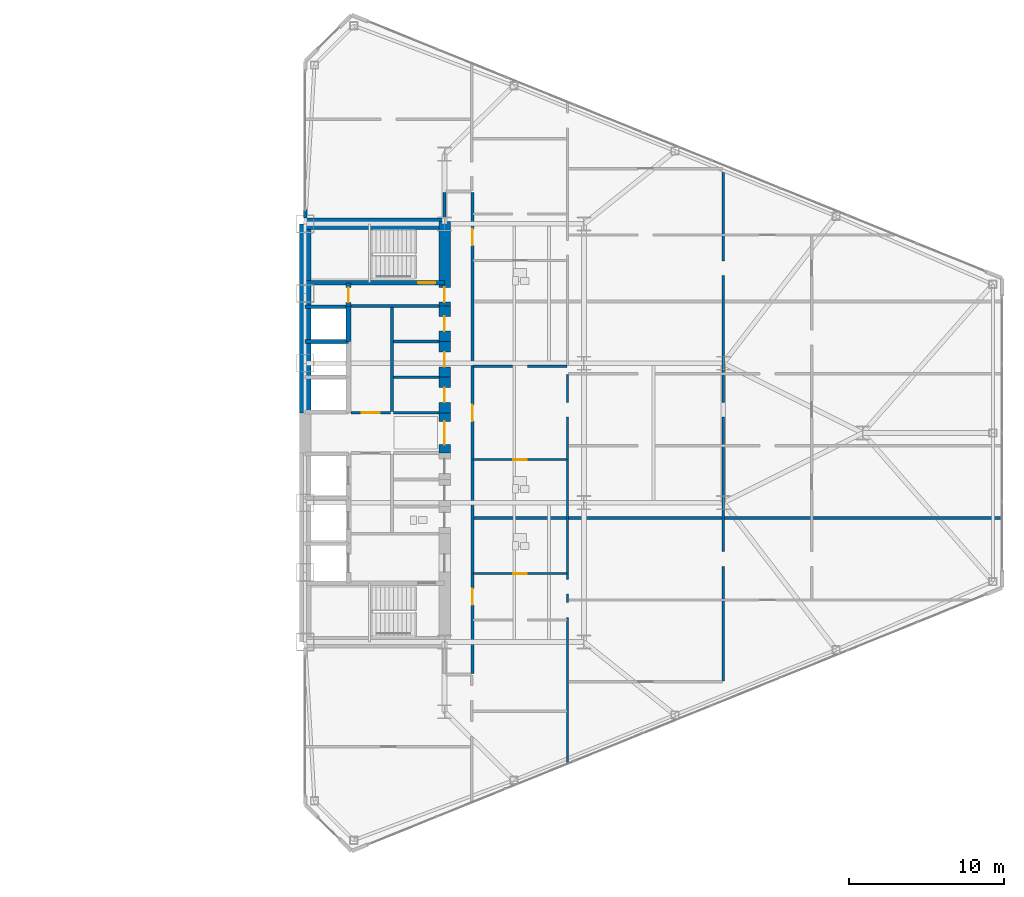
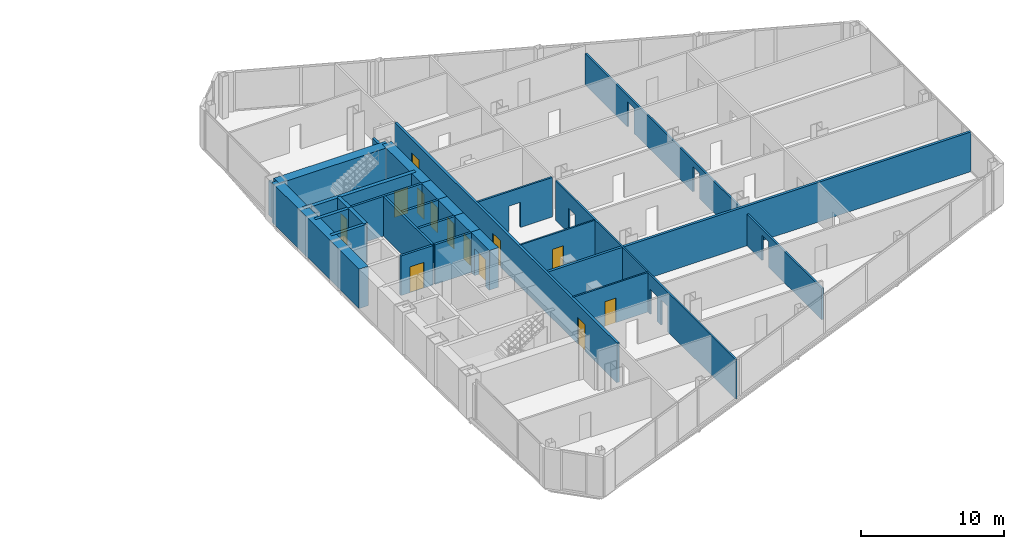
# One storey, part 21 of 25: 27 walls, 13 doors, 20 openings.
"""IFC4 building model written with IfcOpenShell, lengths in metres."""

import ifcopenshell
import ifcopenshell.guid

model = None  # the IFC model being written
_history = None  # IfcOwnerHistory: only IFC2X3 demands one
_inside = {}  # id of a spatial element -> (the spatial element, [elements in it])
_under = {}  # id of a project, library or spatial element -> (it, [spatial elements below it])
_declared = {}  # id of a project -> (the project, [libraries it declares])
_typed = {}  # id of a type object -> (the type object, [elements of that type])
_made_of = {}  # id of a material, layer set ... -> (it, [elements and type objects made of it])


def new_model(schema):
    """Start an empty IFC model of exactly this schema.

    Asked for "IFC4X3", IfcOpenShell would pick the latest addendum, in which some entities
    have other attributes; the version numbers below select the first issue.
    IFC2X3 requires an IfcOwnerHistory on every rooted entity: one is made here for all.
    """
    global model, _history
    if schema == "IFC4X3":
        model = ifcopenshell.file(schema_version=(4, 3, 0, 0))
    else:
        model = ifcopenshell.file(schema=schema)
    _inside.clear()
    _under.clear()
    _declared.clear()
    _typed.clear()
    _made_of.clear()
    _history = None
    if model.schema == "IFC2X3":
        org = make("IfcOrganization", Name="unknown")
        user = make(
            "IfcPersonAndOrganization",
            ThePerson=make("IfcPerson", FamilyName="unknown"),
            TheOrganization=org,
        )
        app = make(
            "IfcApplication",
            ApplicationDeveloper=org,
            Version="unknown",
            ApplicationFullName="unknown",
            ApplicationIdentifier="unknown",
        )
        _history = make(
            "IfcOwnerHistory",
            OwningUser=user,
            OwningApplication=app,
            ChangeAction="ADDED",
            CreationDate=0,
        )
    return model


def make(cls, **values):
    """One entity of the class cls with the attributes given. An attribute that is None is left unset."""
    return model.create_entity(
        cls, **{name: value for name, value in values.items() if value is not None}
    )


def rooted(cls, **values):
    """An entity with a GlobalId (a new one), such as an element, a storey or a relation."""
    return make(cls, GlobalId=ifcopenshell.guid.new(), OwnerHistory=_history, **values)


def si_unit(unit_type, name, prefix=None):
    """IfcSIUnit, for example si_unit("LENGTHUNIT", "METRE", prefix="MILLI")."""
    return make("IfcSIUnit", UnitType=unit_type, Prefix=prefix, Name=name)


def assignment(units):
    """IfcUnitAssignment: the units of a project."""
    return None if units is None else make("IfcUnitAssignment", Units=units)


def point(xyz):
    """IfcCartesianPoint."""
    return None if xyz is None else make("IfcCartesianPoint", Coordinates=xyz)


def direction(xyz):
    """IfcDirection."""
    return None if xyz is None else make("IfcDirection", DirectionRatios=xyz)


def frame(location, z_axis=None, x_axis=None):
    """IfcAxis2Placement3D, a coordinate frame: its origin and axes. An axis left out is left unset."""
    return make(
        "IfcAxis2Placement3D",
        Location=point(location),
        Axis=direction(z_axis),
        RefDirection=direction(x_axis),
    )


def frame_2d(location, x_axis=None):
    """IfcAxis2Placement2D, a coordinate frame in the plane: its origin and x axis."""
    return make(
        "IfcAxis2Placement2D", Location=point(location), RefDirection=direction(x_axis)
    )


def origin():
    """The frame at (0, 0, 0) with its axes left unset."""
    return frame((0.0, 0.0, 0.0))


def place(relative_to, where):
    """IfcLocalPlacement: puts the frame where relative to a parent placement (None: the world)."""
    return make(
        "IfcLocalPlacement", PlacementRelTo=relative_to, RelativePlacement=where
    )


def context(
    kind, dimensions, precision=None, world=None, true_north=None, identifier=None
):
    """IfcGeometricRepresentationContext, for example the 3D "Model" context."""
    return make(
        "IfcGeometricRepresentationContext",
        ContextIdentifier=identifier,
        ContextType=kind,
        CoordinateSpaceDimension=dimensions,
        Precision=precision,
        WorldCoordinateSystem=world,
        TrueNorth=true_north,
    )


def subcontext(parent, identifier, kind, view, scale=None):
    """IfcGeometricRepresentationSubContext, for example "Body" below "Model"."""
    return make(
        "IfcGeometricRepresentationSubContext",
        ContextIdentifier=identifier,
        ContextType=kind,
        ParentContext=parent,
        TargetScale=scale,
        TargetView=view,
    )


def project(units=None, contexts=None):
    """IfcProject with its units and contexts."""
    return rooted(
        "IfcProject",
        Name="project",
        RepresentationContexts=contexts,
        UnitsInContext=assignment(units),
    )


def spatial(cls, under=None, at=None, **own):
    """A site, building, storey or space (cls), placed at a placement, below another one or the project."""
    s = rooted(cls, ObjectPlacement=at, **own)
    if under is not None:
        _under.setdefault(under.id(), (under, []))[1].append(s)
    return s


def profile(cls, at=None, kind="AREA", **sizes):
    """A parametric profile (cls). Its sizes go by their IFC names, for example OverallWidth=200.0."""
    return make(cls, ProfileType=kind, Position=at, **sizes)


def rectangle(**sizes):
    """IfcRectangleProfileDef."""
    return profile("IfcRectangleProfileDef", **sizes)


def extrude(swept, where, along, depth):
    """IfcExtrudedAreaSolid: the profile swept, set in the frame where, extruded along a direction by depth."""
    return make(
        "IfcExtrudedAreaSolid",
        SweptArea=swept,
        Position=where,
        ExtrudedDirection=direction(along),
        Depth=depth,
    )


def shape(context_of_items, identifier, shape_type, items):
    """IfcShapeRepresentation: the items that make up one representation, for example the "Body"."""
    return make(
        "IfcShapeRepresentation",
        ContextOfItems=context_of_items,
        RepresentationIdentifier=identifier,
        RepresentationType=shape_type,
        Items=items,
    )


def source(mapping_origin, context_of_items, identifier, shape_type, items):
    """IfcRepresentationMap: a shape defined once, which mapped items show again and again."""
    return make(
        "IfcRepresentationMap",
        MappingOrigin=mapping_origin,
        MappedRepresentation=shape(context_of_items, identifier, shape_type, items),
    )


def transform(
    local_origin,
    x_axis=None,
    y_axis=None,
    z_axis=None,
    scale=None,
    scale2=None,
    scale3=None,
    uniform=True,
):
    """IfcCartesianTransformationOperator3D, or its non-uniform kind. x_axis, y_axis, z_axis: its Axis1, 2, 3."""
    if uniform:
        return make(
            "IfcCartesianTransformationOperator3D",
            Axis1=direction(x_axis),
            Axis2=direction(y_axis),
            LocalOrigin=point(local_origin),
            Scale=scale,
            Axis3=direction(z_axis),
        )
    return make(
        "IfcCartesianTransformationOperator3DnonUniform",
        Axis1=direction(x_axis),
        Axis2=direction(y_axis),
        LocalOrigin=point(local_origin),
        Scale=scale,
        Axis3=direction(z_axis),
        Scale2=scale2,
        Scale3=scale3,
    )


def mapped(mapping_source, mapping_target):
    """IfcMappedItem: shows the shape of a source again, moved by a transform."""
    return make(
        "IfcMappedItem", MappingSource=mapping_source, MappingTarget=mapping_target
    )


def material(Name=None, Category=None):
    """IfcMaterial."""
    return make("IfcMaterial", Name=Name, Category=Category)


def layer(
    of_material, thickness, ventilated=None, Name=None, Category=None, Priority=None
):
    """IfcMaterialLayer: one layer of a wall or slab, of a material (None: an air gap)."""
    return make(
        "IfcMaterialLayer",
        Material=of_material,
        LayerThickness=thickness,
        IsVentilated=ventilated,
        Name=Name,
        Category=Category,
        Priority=Priority,
    )


def layer_set(layers, Name=None):
    """IfcMaterialLayerSet."""
    return make("IfcMaterialLayerSet", MaterialLayers=layers, LayerSetName=Name)


def made_of(thing, what):
    """Note that an element or type object is made of a material, layer set ...; save() writes the relation."""
    if what is not None:
        _made_of.setdefault(what.id(), (what, []))[1].append(thing)
    return thing


def type_object(cls, material=None, **own):
    """A type object (cls), such as IfcWallType, which elements share."""
    return made_of(rooted(cls, **own), material)


def type_shapes(of_type, sources):
    """Give a type object the sources (RepresentationMaps) that its elements show as mapped items."""
    of_type.RepresentationMaps = sources


def element(
    cls,
    number,
    at=None,
    inside=None,
    cuts=None,
    type_object=None,
    material=None,
    context=None,
    identifier="Body",
    shape_type=None,
    held_by="IfcProductDefinitionShape",
    body=None,
    shapes=None,
    **own,
):
    """One element of the class cls, such as IfcWall. Its Tag is "e" and its number.

    at: its placement. inside: the storey or other place that contains it. cuts: it is an
    opening in that element (IfcRelVoidsElement). A single representation is given by context,
    identifier, shape_type and body (its items); several are given by shapes. held_by: the class
    of the entity that holds the representations. save() writes the other relations.
    """
    e = rooted(cls, Tag="e%d" % number, ObjectPlacement=at, **own)
    if body is not None:
        shapes = [shape(context, identifier, shape_type, body)]
    if shapes is not None:
        e.Representation = make(held_by, Representations=shapes)
    if inside is not None:
        _inside.setdefault(inside.id(), (inside, []))[1].append(e)
    if cuts is not None:
        rooted(
            "IfcRelVoidsElement", RelatingBuildingElement=cuts, RelatedOpeningElement=e
        )
    if type_object is not None:
        _typed.setdefault(type_object.id(), (type_object, []))[1].append(e)
    return made_of(e, material)


def fill(opening, filler):
    """IfcRelFillsElement: the door or window that sits in an opening."""
    return rooted(
        "IfcRelFillsElement",
        RelatingOpeningElement=opening,
        RelatedBuildingElement=filler,
    )


def aggregate(whole, parts):
    """IfcRelAggregates: a whole, such as a stair, and the parts it consists of."""
    return rooted("IfcRelAggregates", RelatingObject=whole, RelatedObjects=parts)


def save(model, path):
    """Write the relations noted so far, then the file.

    IfcRelAggregates (storeys below a building ...), IfcRelContainedInSpatialStructure (elements
    in a storey), IfcRelDefinesByType, IfcRelAssociatesMaterial and IfcRelDeclares: one each for
    every whole, place, type object, material and project.
    """
    for whole, parts in _under.values():
        aggregate(whole, parts)
    for where, things in _inside.values():
        rooted(
            "IfcRelContainedInSpatialStructure",
            RelatedElements=things,
            RelatingStructure=where,
        )
    for kind, things in _typed.values():
        rooted("IfcRelDefinesByType", RelatedObjects=things, RelatingType=kind)
    for what, things in _made_of.values():
        rooted("IfcRelAssociatesMaterial", RelatedObjects=things, RelatingMaterial=what)
    for by, libraries in _declared.values():
        rooted("IfcRelDeclares", RelatingContext=by, RelatedDefinitions=libraries)
    model.write(path)


model = new_model("IFC4")

# Units and contexts
model_context = context("Model", 3, precision=1e-05, world=origin(), true_north=direction((0.0, 1.0)))
body_context = subcontext(model_context, "Body", "Model", "MODEL_VIEW")
ifc_project = project(units=[si_unit("LENGTHUNIT", "METRE"), si_unit("AREAUNIT", "SQUARE_METRE"), si_unit("VOLUMEUNIT", "CUBIC_METRE"), si_unit("PLANEANGLEUNIT", "RADIAN"), si_unit("MASSUNIT", "GRAM", prefix="KILO")], contexts=[model_context])

# Site, building, storey
site_placement = place(None, origin())
site = spatial("IfcSite", under=ifc_project, at=site_placement, CompositionType="ELEMENT")
building_placement = place(site_placement, origin())
building = spatial("IfcBuilding", under=site, at=building_placement, Name="Seokmaru Belvedere", CompositionType="ELEMENT")
storey_placement = place(building_placement, frame((0.0, 0.0, 54.89990234375)))
storey = spatial("IfcBuildingStorey", under=building, at=storey_placement, Name="L14", CompositionType="ELEMENT", Elevation=54.89990234375)

# Wall, opening
ifc_material_1 = material(Name="Fire-Rated Gypsum Shaftwall")
ifc_layer_1 = layer(ifc_material_1, 0.14990234375)
ifc_layer_set_1 = layer_set([ifc_layer_1], Name="Fire-Rated Gypsum Shaftwall")
wall_type_1 = type_object("IfcWallType", Name="Apartment Fire-Acoustic Room Partition 150", PredefinedType="PARTITIONING", material=ifc_layer_set_1)
wall_1_placement = place(storey_placement, frame((38.35009765625, 4.300048828125, 0.0), z_axis=(0.0, 0.0, 1.0), x_axis=(1.0, 0.0, 0.0)))
wall_1 = element("IfcWall", 1, at=wall_1_placement, inside=storey, type_object=wall_type_1, Name="L14 Interior Partition 019", PredefinedType="PARTITIONING", context=body_context, shape_type="SweptSolid", body=[
    extrude(rectangle(XDim=6.0498046875, YDim=0.14990234375, at=frame_2d((3.02490234375, 0.0))), origin(), (0.0, 0.0, 1.0), 3.380126953125),
])
opening_1_placement = place(wall_1_placement, frame((2.550048828125, 0.0, 0.0)))
element("IfcOpeningElement", 2, at=opening_1_placement, cuts=wall_1, Name="L14 Cased Opening 041", PredefinedType="OPENING", context=body_context, shape_type="SweptSolid", body=[
    extrude(rectangle(XDim=0.949951171875, YDim=2.14990234375, at=frame_2d((0.47509765625, 1.074951171875))), frame((0.0, 0.0849609375, 0.0), z_axis=(0.0, -1.0, 0.0), x_axis=(1.0, 0.0, 0.0)), (0.0, 0.0, 1.0), 0.169921875),
])

# Wall, openings
wall_2_placement = place(storey_placement, frame((54.5, -16.01904296875, 0.0), z_axis=(0.0, 0.0, 1.0), x_axis=(0.0, 1.0, 0.0)))
wall_2 = element("IfcWall", 3, at=wall_2_placement, inside=storey, type_object=wall_type_1, Name="L14 Interior Partition 050", PredefinedType="PARTITIONING", context=body_context, shape_type="SweptSolid", body=[
    extrude(rectangle(XDim=33.0380859375, YDim=0.14990234375, at=frame_2d((16.51904296875, 0.0))), origin(), (0.0, 0.0, 1.0), 2.68017578125),
])
opening_2_placement = place(wall_2_placement, frame((7.401611328125, 0.0, 0.0)))
element("IfcOpeningElement", 4, at=opening_2_placement, cuts=wall_2, Name="L14 Cased Opening 032", PredefinedType="OPENING", context=body_context, shape_type="SweptSolid", body=[
    extrude(rectangle(XDim=0.949951171875, YDim=2.14990234375, at=frame_2d((0.47509765625, 1.074951171875))), frame((0.0, 0.0849609375, 0.0), z_axis=(0.0, -1.0, 0.0), x_axis=(1.0, 0.0, 0.0)), (0.0, 0.0, 1.0), 0.169921875),
])
opening_3_placement = place(wall_2_placement, frame((17.0439453125, 0.0, 0.0)))
element("IfcOpeningElement", 5, at=opening_3_placement, cuts=wall_2, Name="L14 Cased Opening 043", PredefinedType="OPENING", context=body_context, shape_type="SweptSolid", body=[
    extrude(rectangle(XDim=0.949951171875, YDim=2.14990234375, at=frame_2d((0.47509765625, 1.074951171875))), frame((0.0, 0.0849609375, 0.0), z_axis=(0.0, -1.0, 0.0), x_axis=(1.0, 0.0, 0.0)), (0.0, 0.0, 1.0), 0.169921875),
])
opening_4_placement = place(wall_2_placement, frame((26.186279296875, 0.0, 0.0)))
element("IfcOpeningElement", 6, at=opening_4_placement, cuts=wall_2, Name="L14 Cased Opening 055", PredefinedType="OPENING", context=body_context, shape_type="SweptSolid", body=[
    extrude(rectangle(XDim=0.949951171875, YDim=2.14990234375, at=frame_2d((0.47509765625, 1.074951171875))), frame((0.0, 0.0849609375, 0.0), z_axis=(0.0, -1.0, 0.0), x_axis=(1.0, 0.0, 0.0)), (0.0, 0.0, 1.0), 0.169921875),
])

# Walls
ifc_layer_2 = layer(ifc_material_1, 0.179931640625)
ifc_layer_set_2 = layer_set([ifc_layer_2], Name="Fire-Rated Gypsum Shaftwall")
wall_type_2 = type_object("IfcWallType", Name="Core Service Fire Partition 180", PredefinedType="PARTITIONING", material=ifc_layer_set_2)
wall_3_placement = place(storey_placement, frame((30.449951171875, 8.199951171875, 0.0), z_axis=(0.0, 0.0, 1.0), x_axis=(1.0, 0.0, 0.0)))
element("IfcWall", 7, at=wall_3_placement, inside=storey, type_object=wall_type_2, Name="L14 East Smokeproof Vestibule Partition", PredefinedType="PARTITIONING", context=body_context, shape_type="SweptSolid", body=[
    extrude(rectangle(XDim=5.699951171875, YDim=0.179931640625, at=frame_2d((2.85009765625, 0.0))), origin(), (0.0, 0.0, 1.0), 3.380126953125),
])
wall_4_placement = place(storey_placement, frame((33.10009765625, 1.3798828125, 0.0), z_axis=(0.0, 0.0, 1.0), x_axis=(0.0, 1.0, 0.0)))
element("IfcWall", 8, at=wall_4_placement, inside=storey, type_object=wall_type_2, Name="L14 East North Core Service Back Wall", PredefinedType="PARTITIONING", context=body_context, shape_type="SweptSolid", body=[
    extrude(rectangle(XDim=6.740234375, YDim=0.179931640625, at=frame_2d((3.3701171875, 0.0))), origin(), (0.0, 0.0, 1.0), 3.380126953125),
])

# Wall, opening, door
wall_5_placement = place(storey_placement, frame((30.449951171875, 1.300048828125, 0.0), z_axis=(0.0, 0.0, 1.0), x_axis=(1.0, 0.0, 0.0)))
wall_5 = element("IfcWall", 9, at=wall_5_placement, inside=storey, type_object=wall_type_2, Name="L14 East North Lift Lobby Foyer Wall", PredefinedType="PARTITIONING", context=body_context, shape_type="SweptSolid", body=[
    extrude(rectangle(XDim=2.570068359375, YDim=0.179931640625, at=frame_2d((1.28515625, 0.0))), origin(), (0.0, 0.0, 1.0), 3.380126953125),
])
opening_5_placement = place(wall_5_placement, frame((0.7099609375, 0.0, 0.0)))
opening_5 = element("IfcOpeningElement", 10, at=opening_5_placement, cuts=wall_5, Name="Opening D02", PredefinedType="OPENING", context=body_context, shape_type="SweptSolid", body=[
    extrude(rectangle(XDim=1.14990234375, YDim=2.199951171875, at=frame_2d((0.574951171875, 1.10009765625))), frame((0.0, 0.10009765625, 0.0), z_axis=(0.0, -1.0, 0.0), x_axis=(1.0, 0.0, 0.0)), (0.0, 0.0, 1.0), 0.199951171875),
])
ifc_material_2 = material(Name="Fire-Rated Steel Leaf", Category="steel")
door_type_1 = type_object("IfcDoorType", Name="Lobby and Vestibule Fire Door 1150x2200", OperationType="NOTDEFINED", PredefinedType="DOOR", material=ifc_material_2)
shared_shape_1 = source(origin(), body_context, "Body", "SweptSolid", [
    extrude(rectangle(XDim=1.14990234375, YDim=2.199951171875, at=frame_2d((0.574951171875, 1.10009765625))), frame((0.0, 0.02490234375, 0.0), z_axis=(0.0, -1.0, 0.0), x_axis=(1.0, 0.0, 0.0)), (0.0, 0.0, 1.0), 0.050048828125),
])
type_shapes(door_type_1, [shared_shape_1])
door_1_placement = place(opening_5_placement, origin())
door_1 = element("IfcDoor", 11, at=door_1_placement, inside=storey, type_object=door_type_1, Name="L14 East North Lift Lobby Door", OperationType="SINGLE_SWING_LEFT", OverallHeight=2.199951171875, OverallWidth=1.14990234375, PredefinedType="DOOR", context=body_context, shape_type="MappedRepresentation", body=[
    mapped(shared_shape_1, transform((0.0, 0.0, 0.0), scale=1.0)),
])
fill(opening_5, door_1)

# Walls
for number, where, z_axis, x_axis, name in (
    (12, (33.199951171875, 1.300048828125, 0.0), (0.0, 0.0, 1.0), (1.0, 0.0, 0.0), "L14 East Foyer Side Wall N"),
    (13, (33.199951171875, 3.60009765625, 0.0), (0.0, 0.0, 1.0), (1.0, 0.0, 0.0), "L14 East Core Service Partition 3"),
    (14, (33.199951171875, 5.89990234375, 0.0), (0.0, 0.0, 1.0), (1.0, 0.0, 0.0), "L14 East Core Service Partition 4"),
):
    element("IfcWall", number, at=place(storey_placement, frame(where, z_axis=z_axis, x_axis=x_axis)), inside=storey, type_object=wall_type_2, Name=name, PredefinedType="PARTITIONING", context=body_context, shape_type="SweptSolid", body=[
        extrude(rectangle(XDim=2.949951171875, YDim=0.179931640625, at=frame_2d((1.47509765625, 0.0))), origin(), (0.0, 0.0, 1.0), 3.380126953125),
    ])
ifc_material_3 = material(Name="Concrete C50 (50 MPa)", Category="concrete")
ifc_layer_3 = layer(ifc_material_3, 0.25)
ifc_layer_set_3 = layer_set([ifc_layer_3], Name="Concrete C50 (50 MPa)")
wall_type_3 = type_object("IfcWallType", Name="Hoistway Transverse Concrete Divider Wall 250", PredefinedType="SHEAR", material=ifc_layer_set_3)
for number, where, z_axis, x_axis, name in (
    (15, (27.5, 5.89990234375, 0.0), (0.0, 0.0, 1.0), (1.0, 0.0, 0.0), "L14 East Hoistway Divider Core Wall 6"),
    (16, (27.5, 8.14990234375, 0.0), (0.0, 0.0, 1.0), (1.0, 0.0, 0.0), "L14 East Hoistway Divider Core Wall 7"),
):
    element("IfcWall", number, at=place(storey_placement, frame(where, z_axis=z_axis, x_axis=x_axis)), inside=storey, type_object=wall_type_3, Name=name, PredefinedType="SHEAR", context=body_context, shape_type="SweptSolid", body=[
        extrude(rectangle(XDim=2.800048828125, YDim=0.25, at=frame_2d((1.39990234375, 0.0))), origin(), (0.0, 0.0, 1.0), 3.380126953125),
    ])
ifc_layer_4 = layer(ifc_material_1, 0.199951171875)
ifc_layer_set_4 = layer_set([ifc_layer_4], Name="Fire-Rated Gypsum Shaftwall")
wall_type_4 = type_object("IfcWallType", Name="Inter-Tenancy Fire Compartment Partition 200", PredefinedType="PARTITIONING", material=ifc_layer_set_4)
wall_6_placement = place(storey_placement, frame((38.3798828125, -5.5, 0.0), z_axis=(0.0, 0.0, 1.0), x_axis=(1.0, 0.0, 0.0)))
element("IfcWall", 17, at=wall_6_placement, inside=storey, type_object=wall_type_4, Name="L14 Interior Partition 012", PredefinedType="PARTITIONING", context=body_context, shape_type="SweptSolid", body=[
    extrude(rectangle(XDim=34.125, YDim=0.199951171875, at=frame_2d((17.0625, 0.0))), origin(), (0.0, 0.0, 1.0), 3.380126953125),
])
wall_7_placement = place(storey_placement, frame((36.5, 13.8798828125, 0.0), z_axis=(0.0, 0.0, 1.0), x_axis=(0.0, 1.0, 0.0)))
element("IfcWall", 18, at=wall_7_placement, inside=storey, type_object=wall_type_4, Name="L14 Interior Partition 044", PredefinedType="PARTITIONING", context=body_context, shape_type="SweptSolid", body=[
    extrude(rectangle(XDim=1.635009765625, YDim=0.199951171875, at=frame_2d((0.8173828125, 0.0))), origin(), (0.0, 0.0, 1.0), 2.68017578125),
])

# Wall, openings, doors
wall_8_placement = place(storey_placement, frame((38.300048828125, -15.514892578125, 0.0), z_axis=(0.0, 0.0, 1.0), x_axis=(0.0, 1.0, 0.0)))
wall_8 = element("IfcWall", 19, at=wall_8_placement, inside=storey, type_object=wall_type_4, Name="L14 Interior Partition 047", PredefinedType="PARTITIONING", context=body_context, shape_type="SweptSolid", body=[
    extrude(rectangle(XDim=31.02978515625, YDim=0.199951171875, at=frame_2d((15.514892578125, 0.0))), origin(), (0.0, 0.0, 1.0), 3.380126953125),
])
opening_6_placement = place(wall_8_placement, frame((4.41259765625, 0.0, 0.0)))
opening_6 = element("IfcOpeningElement", 20, at=opening_6_placement, cuts=wall_8, Name="Opening D03", PredefinedType="OPENING", context=body_context, shape_type="SweptSolid", body=[
    extrude(rectangle(XDim=1.050048828125, YDim=2.25, at=frame_2d((0.52490234375, 1.125))), frame((0.0, 0.10986328125, 0.0), z_axis=(0.0, -1.0, 0.0), x_axis=(1.0, 0.0, 0.0)), (0.0, 0.0, 1.0), 0.219970703125),
])
opening_7_placement = place(wall_8_placement, frame((16.280029296875, 0.0, 0.0)))
opening_7 = element("IfcOpeningElement", 21, at=opening_7_placement, cuts=wall_8, Name="Opening D03", PredefinedType="OPENING", context=body_context, shape_type="SweptSolid", body=[
    extrude(rectangle(XDim=1.050048828125, YDim=2.25, at=frame_2d((0.52490234375, 1.125))), frame((0.0, 0.10986328125, 0.0), z_axis=(0.0, -1.0, 0.0), x_axis=(1.0, 0.0, 0.0)), (0.0, 0.0, 1.0), 0.219970703125),
])
opening_8_placement = place(wall_8_placement, frame((27.635009765625, 0.0, 0.0)))
opening_8 = element("IfcOpeningElement", 22, at=opening_8_placement, cuts=wall_8, Name="Opening D03", PredefinedType="OPENING", context=body_context, shape_type="SweptSolid", body=[
    extrude(rectangle(XDim=1.050048828125, YDim=2.25, at=frame_2d((0.52490234375, 1.125))), frame((0.0, 0.10986328125, 0.0), z_axis=(0.0, -1.0, 0.0), x_axis=(1.0, 0.0, 0.0)), (0.0, 0.0, 1.0), 0.219970703125),
])
door_type_2 = type_object("IfcDoorType", Name="Apartment Entrance Fire Door 1050x2250", OperationType="NOTDEFINED", PredefinedType="DOOR", material=ifc_material_2)
shared_shape_2 = source(origin(), body_context, "Body", "SweptSolid", [
    extrude(rectangle(XDim=1.050048828125, YDim=2.25, at=frame_2d((0.52490234375, 1.125))), frame((0.0, 0.02490234375, 0.0), z_axis=(0.0, -1.0, 0.0), x_axis=(1.0, 0.0, 0.0)), (0.0, 0.0, 1.0), 0.050048828125),
])
type_shapes(door_type_2, [shared_shape_2])
door_2_placement = place(opening_6_placement, origin())
door_2 = element("IfcDoor", 23, at=door_2_placement, inside=storey, type_object=door_type_2, Name="L14 Interior Door 027", OperationType="SINGLE_SWING_LEFT", OverallHeight=2.25, OverallWidth=1.050048828125, PredefinedType="DOOR", context=body_context, shape_type="MappedRepresentation", body=[
    mapped(shared_shape_2, transform((0.0, 0.0, 0.0), scale=1.0)),
])
fill(opening_6, door_2)
door_3_placement = place(opening_7_placement, origin())
door_3 = element("IfcDoor", 24, at=door_3_placement, inside=storey, type_object=door_type_2, Name="L14 Interior Door 039", OperationType="SINGLE_SWING_RIGHT", OverallHeight=2.25, OverallWidth=1.050048828125, PredefinedType="DOOR", context=body_context, shape_type="MappedRepresentation", body=[
    mapped(shared_shape_2, transform((0.0, 0.0, 0.0), scale=1.0)),
])
fill(opening_7, door_3)
door_4_placement = place(opening_8_placement, origin())
door_4 = element("IfcDoor", 25, at=door_4_placement, inside=storey, type_object=door_type_2, Name="L14 Interior Door 051", OperationType="SINGLE_SWING_LEFT", OverallHeight=2.25, OverallWidth=1.050048828125, PredefinedType="DOOR", context=body_context, shape_type="MappedRepresentation", body=[
    mapped(shared_shape_2, transform((0.0, 0.0, 0.0), scale=1.0)),
])
fill(opening_8, door_4)

# Wall, opening, door
ifc_layer_5 = layer(ifc_material_3, 0.300048828125)
ifc_layer_set_5 = layer_set([ifc_layer_5], Name="Concrete C50 (50 MPa)")
wall_type_5 = type_object("IfcWallType", Name="Internal Core Stair and Hoistway Wall 300", PredefinedType="SHEAR", material=ifc_layer_set_5)
wall_9_placement = place(storey_placement, frame((27.5, 9.699951171875, 0.0), z_axis=(0.0, 0.0, 1.0), x_axis=(1.0, 0.0, 0.0)))
wall_9 = element("IfcWall", 26, at=wall_9_placement, inside=storey, type_object=wall_type_5, Name="L14 East Stair ST-2 Enclosure Wall", PredefinedType="SHEAR", context=body_context, shape_type="SweptSolid", body=[
    extrude(rectangle(XDim=9.0, YDim=0.300048828125, at=frame_2d((4.5, 0.0))), origin(), (0.0, 0.0, 1.0), 3.380126953125),
])
opening_9_placement = place(wall_9_placement, frame((7.300048828125, 0.0, 0.0)))
opening_9 = element("IfcOpeningElement", 27, at=opening_9_placement, cuts=wall_9, Name="Opening D01", PredefinedType="OPENING", context=body_context, shape_type="SweptSolid", body=[
    extrude(rectangle(XDim=1.10009765625, YDim=2.199951171875, at=frame_2d((0.550048828125, 1.10009765625))), frame((0.0, 0.16015625, 0.0), z_axis=(0.0, -1.0, 0.0), x_axis=(1.0, 0.0, 0.0)), (0.0, 0.0, 1.0), 0.320068359375),
])
door_type_3 = type_object("IfcDoorType", Name="Special Escape Stair Smokeproof Fire Door 1100x2200", OperationType="NOTDEFINED", PredefinedType="DOOR", material=ifc_material_2)
shared_shape_3 = source(origin(), body_context, "Body", "SweptSolid", [
    extrude(rectangle(XDim=1.10009765625, YDim=2.199951171875, at=frame_2d((0.550048828125, 1.10009765625))), frame((0.0, 0.02490234375, 0.0), z_axis=(0.0, -1.0, 0.0), x_axis=(1.0, 0.0, 0.0)), (0.0, 0.0, 1.0), 0.050048828125),
])
type_shapes(door_type_3, [shared_shape_3])
door_5_placement = place(opening_9_placement, origin())
door_5 = element("IfcDoor", 28, at=door_5_placement, inside=storey, type_object=door_type_3, Name="L14 East Special Escape Stair ST-2 Door", OperationType="SINGLE_SWING_LEFT", OverallHeight=2.199951171875, OverallWidth=1.10009765625, PredefinedType="DOOR", context=body_context, shape_type="MappedRepresentation", body=[
    mapped(shared_shape_3, transform((0.0, 0.0, 0.0), scale=1.0)),
])
fill(opening_9, door_5)

# Wall
wall_10_placement = place(storey_placement, frame((30.300048828125, 5.89990234375, 0.0), z_axis=(0.0, 0.0, 1.0), x_axis=(0.0, 1.0, 0.0)))
element("IfcWall", 29, at=wall_10_placement, inside=storey, type_object=wall_type_5, Name="L14 East North Hoistway Wall OBS", PredefinedType="SHEAR", context=body_context, shape_type="SweptSolid", body=[
    extrude(rectangle(XDim=2.25, YDim=0.300048828125, at=frame_2d((1.125, 0.0))), origin(), (0.0, 0.0, 1.0), 3.380126953125),
])

# Wall, opening, door
wall_11_placement = place(storey_placement, frame((30.300048828125, 8.14990234375, 0.0), z_axis=(0.0, 0.0, 1.0), x_axis=(0.0, 1.0, 0.0)))
wall_11 = element("IfcWall", 30, at=wall_11_placement, inside=storey, type_object=wall_type_5, Name="L14 East Electrical Riser Front Wall", PredefinedType="SHEAR", context=body_context, shape_type="SweptSolid", body=[
    extrude(rectangle(XDim=1.530029296875, YDim=0.300048828125, at=frame_2d((0.76513671875, 0.0))), origin(), (0.0, 0.0, 1.0), 3.380126953125),
])
opening_10_placement = place(wall_11_placement, frame((0.284912109375, 0.0, 0.0)))
opening_10 = element("IfcOpeningElement", 31, at=opening_10_placement, cuts=wall_11, Name="Opening D04", PredefinedType="OPENING", context=body_context, shape_type="SweptSolid", body=[
    extrude(rectangle(XDim=0.949951171875, YDim=2.14990234375, at=frame_2d((0.47509765625, 1.074951171875))), frame((0.0, 0.16015625, 0.0), z_axis=(0.0, -1.0, 0.0), x_axis=(1.0, 0.0, 0.0)), (0.0, 0.0, 1.0), 0.320068359375),
])
door_type_4 = type_object("IfcDoorType", Name="Core Service Room Fire Door 950x2150", OperationType="NOTDEFINED", PredefinedType="DOOR", material=ifc_material_2)
shared_shape_4 = source(origin(), body_context, "Body", "SweptSolid", [
    extrude(rectangle(XDim=0.949951171875, YDim=2.14990234375, at=frame_2d((0.47509765625, 1.074951171875))), frame((0.0, 0.02490234375, 0.0), z_axis=(0.0, -1.0, 0.0), x_axis=(1.0, 0.0, 0.0)), (0.0, 0.0, 1.0), 0.050048828125),
])
type_shapes(door_type_4, [shared_shape_4])
door_6_placement = place(opening_10_placement, origin())
door_6 = element("IfcDoor", 32, at=door_6_placement, inside=storey, type_object=door_type_4, Name="L14 East Electrical Riser Access Door", OperationType="SINGLE_SWING_RIGHT", OverallHeight=2.14990234375, OverallWidth=0.949951171875, PredefinedType="DOOR", context=body_context, shape_type="MappedRepresentation", body=[
    mapped(shared_shape_4, transform((0.0, 0.0, 0.0), scale=1.0)),
])
fill(opening_10, door_6)

# Walls
ifc_material_4 = material(Name="Concrete C60 (60 MPa)", Category="concrete")
ifc_layer_6 = layer(ifc_material_4, 0.75)
ifc_layer_set_6 = layer_set([ifc_layer_6], Name="Concrete C60 (60 MPa)")
wall_type_6 = type_object("IfcWallType", Name="Lower Tower Reinforced Concrete Core Wall 750", PredefinedType="SHEAR", material=ifc_layer_set_6)
wall_12_placement = place(storey_placement, frame((27.5, 1.300048828125, 0.0), z_axis=(0.0, 0.0, 1.0), x_axis=(0.0, 1.0, 0.0)))
element("IfcWall", 33, at=wall_12_placement, inside=storey, type_object=wall_type_6, Name="L14 East Portal Spine Core Wall North", PredefinedType="SHEAR", context=body_context, shape_type="SweptSolid", body=[
    extrude(rectangle(XDim=12.199951171875, YDim=0.75, at=frame_2d((6.10009765625, 0.0))), origin(), (0.0, 0.0, 1.0), 3.380126953125),
])
wall_13_placement = place(storey_placement, frame((27.5, 13.5, 0.0), z_axis=(0.0, 0.0, 1.0), x_axis=(1.0, 0.0, 0.0)))
element("IfcWall", 34, at=wall_13_placement, inside=storey, type_object=wall_type_6, Name="L14 East North Core Wall", PredefinedType="SHEAR", context=body_context, shape_type="SweptSolid", body=[
    extrude(rectangle(XDim=9.0, YDim=0.75, at=frame_2d((4.5, 0.0))), origin(), (0.0, 0.0, 1.0), 3.380126953125),
])

# Wall, opening, door
wall_14_placement = place(storey_placement, frame((36.5, -1.300048828125, 0.0), z_axis=(0.0, 0.0, 1.0), x_axis=(0.0, 1.0, 0.0)))
wall_14 = element("IfcWall", 35, at=wall_14_placement, inside=storey, type_object=wall_type_6, Name="L14 East West Core Wall FOY", PredefinedType="SHEAR", context=body_context, shape_type="SweptSolid", body=[
    extrude(rectangle(XDim=2.60009765625, YDim=0.75, at=frame_2d((1.300048828125, 0.0))), origin(), (0.0, 0.0, 1.0), 3.380126953125),
])
opening_11_placement = place(wall_14_placement, frame((0.550048828125, 0.0, 0.0)))
opening_11 = element("IfcOpeningElement", 36, at=opening_11_placement, cuts=wall_14, Name="Opening D08", PredefinedType="OPENING", context=body_context, shape_type="SweptSolid", body=[
    extrude(rectangle(XDim=1.5, YDim=2.300048828125, at=frame_2d((0.75, 1.14990234375))), frame((0.0, 0.385009765625, 0.0), z_axis=(0.0, -1.0, 0.0), x_axis=(1.0, 0.0, 0.0)), (0.0, 0.0, 1.0), 0.77001953125),
])
door_type_5 = type_object("IfcDoorType", Name="Cross-Corridor Compartment Double Fire Door 1500x2300", OperationType="DOUBLE_SWING_LEFT", PredefinedType="DOOR", material=ifc_material_2)
shared_shape_5 = source(origin(), body_context, "Body", "SweptSolid", [
    extrude(rectangle(XDim=1.5, YDim=2.300048828125, at=frame_2d((0.75, 1.14990234375))), frame((0.0, 0.02490234375, 0.0), z_axis=(0.0, -1.0, 0.0), x_axis=(1.0, 0.0, 0.0)), (0.0, 0.0, 1.0), 0.050048828125),
])
type_shapes(door_type_5, [shared_shape_5])
door_7_placement = place(opening_11_placement, origin())
door_7 = element("IfcDoor", 37, at=door_7_placement, inside=storey, type_object=door_type_5, Name="L14 East Core Foyer Compartment Door", OperationType="DOUBLE_SWING_LEFT", OverallHeight=2.300048828125, OverallWidth=1.5, PredefinedType="DOOR", context=body_context, shape_type="MappedRepresentation", body=[
    mapped(shared_shape_5, transform((0.0, 0.0, 0.0), scale=1.0)),
])
fill(opening_11, door_7)

wall_15_placement = place(storey_placement, frame((36.5, 8.199951171875, 0.0), z_axis=(0.0, 0.0, 1.0), x_axis=(0.0, 1.0, 0.0)))
wall_15 = element("IfcWall", 38, at=wall_15_placement, inside=storey, type_object=wall_type_6, Name="L14 East West Core Wall VST", PredefinedType="SHEAR", context=body_context, shape_type="SweptSolid", body=[
    extrude(rectangle(XDim=5.449951171875, YDim=0.75, at=frame_2d((2.72509765625, 0.0))), origin(), (0.0, 0.0, 1.0), 3.380126953125),
])
opening_12_placement = place(wall_15_placement, frame((0.2451171875, 0.0, 0.0)))
opening_12 = element("IfcOpeningElement", 39, at=opening_12_placement, cuts=wall_15, Name="Opening D04", PredefinedType="OPENING", context=body_context, shape_type="SweptSolid", body=[
    extrude(rectangle(XDim=0.949951171875, YDim=2.14990234375, at=frame_2d((0.47509765625, 1.074951171875))), frame((0.0, 0.385009765625, 0.0), z_axis=(0.0, -1.0, 0.0), x_axis=(1.0, 0.0, 0.0)), (0.0, 0.0, 1.0), 0.77001953125),
])
door_8_placement = place(opening_12_placement, origin())
door_8 = element("IfcDoor", 40, at=door_8_placement, inside=storey, type_object=door_type_4, Name="L14 East Smokeproof Vestibule Door", OperationType="SINGLE_SWING_LEFT", OverallHeight=2.14990234375, OverallWidth=0.949951171875, PredefinedType="DOOR", context=body_context, shape_type="MappedRepresentation", body=[
    mapped(shared_shape_4, transform((0.0, 0.0, 0.0), scale=1.0)),
])
fill(opening_12, door_8)

wall_16_placement = place(storey_placement, frame((36.5, 1.300048828125, 0.0), z_axis=(0.0, 0.0, 1.0), x_axis=(0.0, 1.0, 0.0)))
wall_16 = element("IfcWall", 41, at=wall_16_placement, inside=storey, type_object=wall_type_6, Name="L14 East West Core Wall CS4", PredefinedType="SHEAR", context=body_context, shape_type="SweptSolid", body=[
    extrude(rectangle(XDim=2.300048828125, YDim=0.75, at=frame_2d((1.14990234375, 0.0))), origin(), (0.0, 0.0, 1.0), 3.380126953125),
])
opening_13_placement = place(wall_16_placement, frame((0.675048828125, 0.0, 0.0)))
opening_13 = element("IfcOpeningElement", 42, at=opening_13_placement, cuts=wall_16, Name="Opening D04", PredefinedType="OPENING", context=body_context, shape_type="SweptSolid", body=[
    extrude(rectangle(XDim=0.949951171875, YDim=2.14990234375, at=frame_2d((0.47509765625, 1.074951171875))), frame((0.0, 0.385009765625, 0.0), z_axis=(0.0, -1.0, 0.0), x_axis=(1.0, 0.0, 0.0)), (0.0, 0.0, 1.0), 0.77001953125),
])
door_9_placement = place(opening_13_placement, origin())
door_9 = element("IfcDoor", 43, at=door_9_placement, inside=storey, type_object=door_type_4, Name="L14 East Core Service Room Door 4", OperationType="SINGLE_SWING_LEFT", OverallHeight=2.14990234375, OverallWidth=0.949951171875, PredefinedType="DOOR", context=body_context, shape_type="MappedRepresentation", body=[
    mapped(shared_shape_4, transform((0.0, 0.0, 0.0), scale=1.0)),
])
fill(opening_13, door_9)

wall_17_placement = place(storey_placement, frame((36.5, 3.60009765625, 0.0), z_axis=(0.0, 0.0, 1.0), x_axis=(0.0, 1.0, 0.0)))
wall_17 = element("IfcWall", 44, at=wall_17_placement, inside=storey, type_object=wall_type_6, Name="L14 East West Core Wall CS5", PredefinedType="SHEAR", context=body_context, shape_type="SweptSolid", body=[
    extrude(rectangle(XDim=2.2998046875, YDim=0.75, at=frame_2d((1.14990234375, 0.0))), origin(), (0.0, 0.0, 1.0), 3.380126953125),
])
opening_14_placement = place(wall_17_placement, frame((0.675048828125, 0.0, 0.0)))
opening_14 = element("IfcOpeningElement", 45, at=opening_14_placement, cuts=wall_17, Name="Opening D04", PredefinedType="OPENING", context=body_context, shape_type="SweptSolid", body=[
    extrude(rectangle(XDim=0.949951171875, YDim=2.14990234375, at=frame_2d((0.47509765625, 1.074951171875))), frame((0.0, 0.385009765625, 0.0), z_axis=(0.0, -1.0, 0.0), x_axis=(1.0, 0.0, 0.0)), (0.0, 0.0, 1.0), 0.77001953125),
])
door_10_placement = place(opening_14_placement, origin())
door_10 = element("IfcDoor", 46, at=door_10_placement, inside=storey, type_object=door_type_4, Name="L14 East Core Service Room Door 5", OperationType="SINGLE_SWING_RIGHT", OverallHeight=2.14990234375, OverallWidth=0.949951171875, PredefinedType="DOOR", context=body_context, shape_type="MappedRepresentation", body=[
    mapped(shared_shape_4, transform((0.0, 0.0, 0.0), scale=1.0)),
])
fill(opening_14, door_10)

wall_18_placement = place(storey_placement, frame((36.5, 5.89990234375, 0.0), z_axis=(0.0, 0.0, 1.0), x_axis=(0.0, 1.0, 0.0)))
wall_18 = element("IfcWall", 47, at=wall_18_placement, inside=storey, type_object=wall_type_6, Name="L14 East West Core Wall CS6", PredefinedType="SHEAR", context=body_context, shape_type="SweptSolid", body=[
    extrude(rectangle(XDim=2.300048828125, YDim=0.75, at=frame_2d((1.14990234375, 0.0))), origin(), (0.0, 0.0, 1.0), 3.380126953125),
])
opening_15_placement = place(wall_18_placement, frame((0.675048828125, 0.0, 0.0)))
opening_15 = element("IfcOpeningElement", 48, at=opening_15_placement, cuts=wall_18, Name="Opening D04", PredefinedType="OPENING", context=body_context, shape_type="SweptSolid", body=[
    extrude(rectangle(XDim=0.949951171875, YDim=2.14990234375, at=frame_2d((0.47509765625, 1.074951171875))), frame((0.0, 0.385009765625, 0.0), z_axis=(0.0, -1.0, 0.0), x_axis=(1.0, 0.0, 0.0)), (0.0, 0.0, 1.0), 0.77001953125),
])
door_11_placement = place(opening_15_placement, origin())
door_11 = element("IfcDoor", 49, at=door_11_placement, inside=storey, type_object=door_type_4, Name="L14 East Core Service Room Door 6", OperationType="SINGLE_SWING_LEFT", OverallHeight=2.14990234375, OverallWidth=0.949951171875, PredefinedType="DOOR", context=body_context, shape_type="MappedRepresentation", body=[
    mapped(shared_shape_4, transform((0.0, 0.0, 0.0), scale=1.0)),
])
fill(opening_15, door_11)

ifc_layer_7 = layer(ifc_material_1, 0.1298828125)
ifc_layer_set_7 = layer_set([ifc_layer_7], Name="Fire-Rated Gypsum Shaftwall")
wall_type_7 = type_object("IfcWallType", Name="Moisture-Resistant Fire-Rated Bathroom Partition 130", PredefinedType="PARTITIONING", material=ifc_layer_set_7)
wall_19_placement = place(storey_placement, frame((38.35009765625, -9.080078125, 0.0), z_axis=(0.0, 0.0, 1.0), x_axis=(1.0, 0.0, 0.0)))
wall_19 = element("IfcWall", 50, at=wall_19_placement, inside=storey, type_object=wall_type_7, Name="L14 Interior Partition 009", PredefinedType="PARTITIONING", context=body_context, shape_type="SweptSolid", body=[
    extrude(rectangle(XDim=6.0498046875, YDim=0.1298828125, at=frame_2d((3.02490234375, 0.0))), origin(), (0.0, 0.0, 1.0), 3.380126953125),
])
opening_16_placement = place(wall_19_placement, frame((2.5849609375, 0.0, 0.0)))
opening_16 = element("IfcOpeningElement", 51, at=opening_16_placement, cuts=wall_19, Name="Opening D06", PredefinedType="OPENING", context=body_context, shape_type="SweptSolid", body=[
    extrude(rectangle(XDim=0.8798828125, YDim=2.10009765625, at=frame_2d((0.43994140625, 1.050048828125))), frame((0.0, 0.074951171875, 0.0), z_axis=(0.0, -1.0, 0.0), x_axis=(1.0, 0.0, 0.0)), (0.0, 0.0, 1.0), 0.14990234375),
])
ifc_material_5 = material(Name="Engineered White Oak Timber", Category="wood")
door_type_6 = type_object("IfcDoorType", Name="Bathroom and Restroom Fire-Rated Door 880x2100", OperationType="NOTDEFINED", PredefinedType="DOOR", material=ifc_material_5)
shared_shape_6 = source(origin(), body_context, "Body", "SweptSolid", [
    extrude(rectangle(XDim=0.8798828125, YDim=2.10009765625, at=frame_2d((0.43994140625, 1.050048828125))), frame((0.0, 0.02490234375, 0.0), z_axis=(0.0, -1.0, 0.0), x_axis=(1.0, 0.0, 0.0)), (0.0, 0.0, 1.0), 0.050048828125),
])
type_shapes(door_type_6, [shared_shape_6])
door_12_placement = place(opening_16_placement, origin())
door_12 = element("IfcDoor", 52, at=door_12_placement, inside=storey, type_object=door_type_6, Name="L14 Interior Door 028", OperationType="SINGLE_SWING_RIGHT", OverallHeight=2.10009765625, OverallWidth=0.8798828125, PredefinedType="DOOR", context=body_context, shape_type="MappedRepresentation", body=[
    mapped(shared_shape_6, transform((0.0, 0.0, 0.0), scale=1.0)),
])
fill(opening_16, door_12)

wall_20_placement = place(storey_placement, frame((38.35009765625, -1.719970703125, 0.0), z_axis=(0.0, 0.0, 1.0), x_axis=(1.0, 0.0, 0.0)))
wall_20 = element("IfcWall", 53, at=wall_20_placement, inside=storey, type_object=wall_type_7, Name="L14 Interior Partition 015", PredefinedType="PARTITIONING", context=body_context, shape_type="SweptSolid", body=[
    extrude(rectangle(XDim=6.0498046875, YDim=0.1298828125, at=frame_2d((3.02490234375, 0.0))), origin(), (0.0, 0.0, 1.0), 3.380126953125),
])
opening_17_placement = place(wall_20_placement, frame((2.5849609375, 0.0, 0.0)))
opening_17 = element("IfcOpeningElement", 54, at=opening_17_placement, cuts=wall_20, Name="Opening D06", PredefinedType="OPENING", context=body_context, shape_type="SweptSolid", body=[
    extrude(rectangle(XDim=0.8798828125, YDim=2.10009765625, at=frame_2d((0.43994140625, 1.050048828125))), frame((0.0, 0.074951171875, 0.0), z_axis=(0.0, -1.0, 0.0), x_axis=(1.0, 0.0, 0.0)), (0.0, 0.0, 1.0), 0.14990234375),
])
door_13_placement = place(opening_17_placement, origin())
door_13 = element("IfcDoor", 55, at=door_13_placement, inside=storey, type_object=door_type_6, Name="L14 Interior Door 040", OperationType="SINGLE_SWING_RIGHT", OverallHeight=2.10009765625, OverallWidth=0.8798828125, PredefinedType="DOOR", context=body_context, shape_type="MappedRepresentation", body=[
    mapped(shared_shape_6, transform((0.0, 0.0, 0.0), scale=1.0)),
])
fill(opening_17, door_13)

# Wall, openings
wall_21_placement = place(storey_placement, frame((44.449951171875, -21.388916015625, 0.0), z_axis=(0.0, 0.0, 1.0), x_axis=(0.0, 1.0, 0.0)))
wall_21 = element("IfcWall", 56, at=wall_21_placement, inside=storey, type_object=wall_type_7, Name="L14 Interior Partition 048", PredefinedType="PARTITIONING", context=body_context, shape_type="SweptSolid", body=[
    extrude(rectangle(XDim=25.171875, YDim=0.1298828125, at=frame_2d((12.5859375, 0.0))), origin(), (0.0, 0.0, 1.0), 3.380126953125),
])
opening_18_placement = place(wall_21_placement, frame((10.98291015625, 0.0, 0.0)))
element("IfcOpeningElement", 57, at=opening_18_placement, cuts=wall_21, Name="L14 Cased Opening 030", PredefinedType="OPENING", context=body_context, shape_type="SweptSolid", body=[
    extrude(rectangle(XDim=0.949951171875, YDim=2.14990234375, at=frame_2d((0.47509765625, 1.074951171875))), frame((0.0, 0.074951171875, 0.0), z_axis=(0.0, -1.0, 0.0), x_axis=(1.0, 0.0, 0.0)), (0.0, 0.0, 1.0), 0.14990234375),
])
opening_19_placement = place(wall_21_placement, frame((9.48291015625, 0.0, 0.0)))
element("IfcOpeningElement", 58, at=opening_19_placement, cuts=wall_21, Name="L14 Cased Opening 031", PredefinedType="OPENING", context=body_context, shape_type="SweptSolid", body=[
    extrude(rectangle(XDim=0.949951171875, YDim=2.14990234375, at=frame_2d((0.47509765625, 1.074951171875))), frame((0.0, 0.074951171875, 0.0), z_axis=(0.0, -1.0, 0.0), x_axis=(1.0, 0.0, 0.0)), (0.0, 0.0, 1.0), 0.14990234375),
])
opening_20_placement = place(wall_21_placement, frame((22.4140625, 0.0, 0.0)))
element("IfcOpeningElement", 59, at=opening_20_placement, cuts=wall_21, Name="L14 Cased Opening 042", PredefinedType="OPENING", context=body_context, shape_type="SweptSolid", body=[
    extrude(rectangle(XDim=0.949951171875, YDim=2.14990234375, at=frame_2d((0.47509765625, 1.074951171875))), frame((0.0, 0.074951171875, 0.0), z_axis=(0.0, -1.0, 0.0), x_axis=(1.0, 0.0, 0.0)), (0.0, 0.0, 1.0), 0.14990234375),
])

# Wall
ifc_material_6 = material(Name="Anodised Bronze Aluminium", Category="aluminium")
ifc_layer_8 = layer(ifc_material_6, 0.239990234375)
ifc_layer_set_8 = layer_set([ifc_layer_8], Name="Anodised Bronze Aluminium")
wall_type_8 = type_object("IfcWallType", Name="Tower Corner Spandrel Closure Wall 240", PredefinedType="SOLIDWALL", material=ifc_layer_set_8)
wall_22_placement = place(storey_placement, frame((27.5, 13.8798828125, 0.0), z_axis=(0.0, 0.0, 1.0), x_axis=(0.0, 1.0, 0.0)))
element("IfcWall", 60, at=wall_22_placement, inside=storey, type_object=wall_type_8, Name="L14 E Spine Closure Pier 2A", PredefinedType="SOLIDWALL", context=body_context, shape_type="SweptSolid", body=[
    extrude(rectangle(XDim=0.550048828125, YDim=0.239990234375, at=frame_2d((0.27490234375, 0.0))), origin(), (0.0, 0.0, 1.0), 2.880126953125),
])

save(model, "model.ifc")
